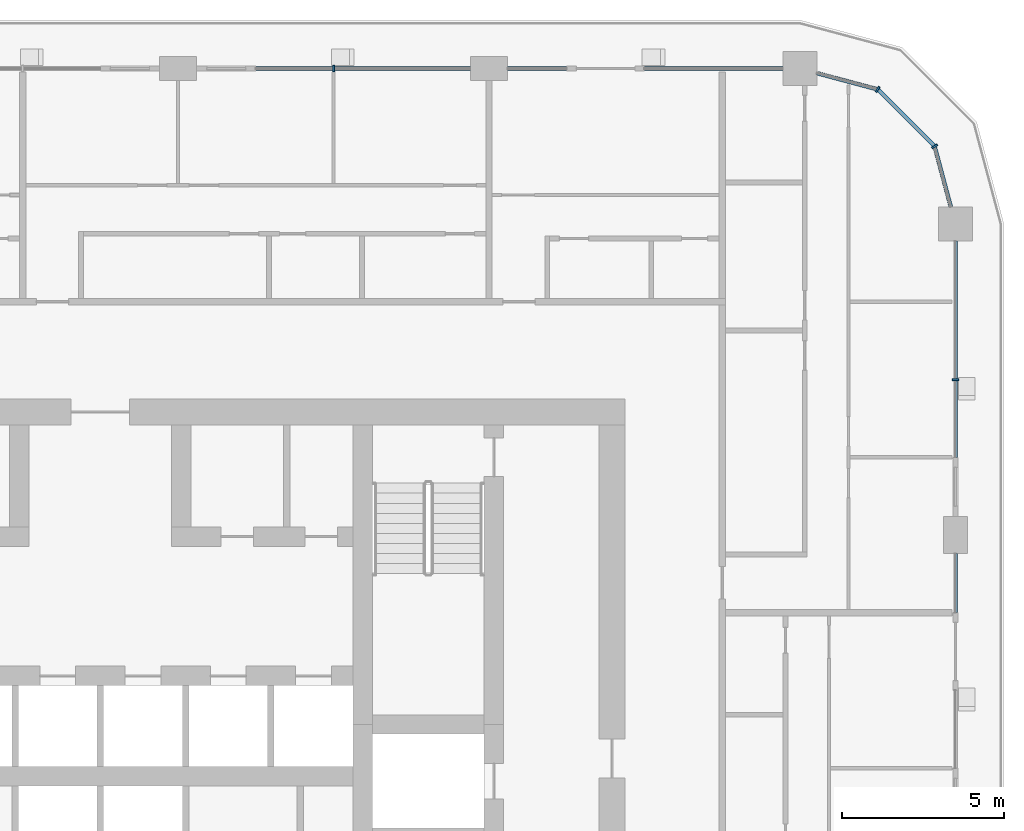
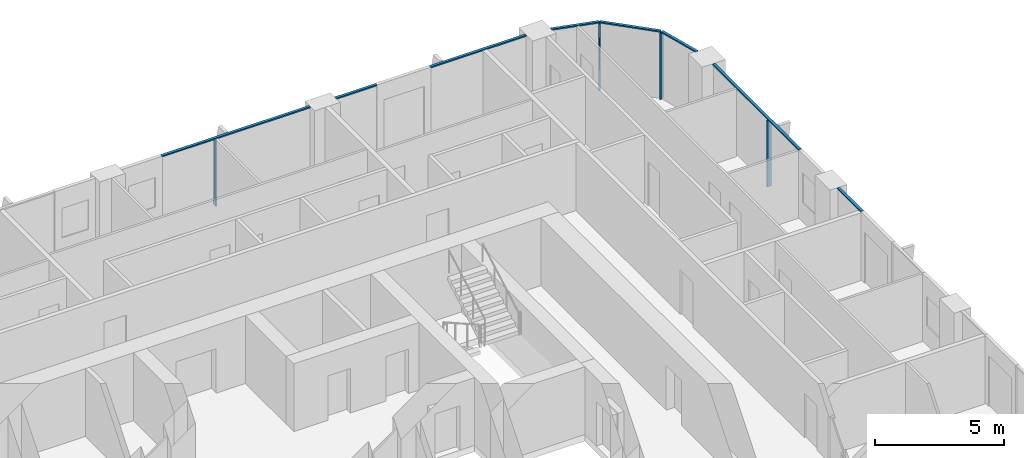
# One storey, part 6 of 22: 12 members, 5 elements without a shape of their own.
"""IFC4 building model written with IfcOpenShell, lengths in metres."""

from ifc_helpers import new_model, si_unit, direction, frame, origin, origin_2d, place, context, subcontext, project, spatial, rectangle, extrude, material, layer, layer_set, material_profile, profile_set, type_object, element, aggregate, save


model = new_model("IFC4")

# Units and contexts
model_context = context("Model", 3, precision=1e-05, world=origin(), true_north=direction((0.0, 1.0)))
body_context = subcontext(model_context, "Body", "Model", "MODEL_VIEW")
ifc_project = project(units=[si_unit("LENGTHUNIT", "METRE"), si_unit("AREAUNIT", "SQUARE_METRE"), si_unit("VOLUMEUNIT", "CUBIC_METRE"), si_unit("PLANEANGLEUNIT", "RADIAN"), si_unit("MASSUNIT", "GRAM", prefix="KILO")], contexts=[model_context])

# Site, building, storey
site_placement = place(None, origin())
site = spatial("IfcSite", under=ifc_project, at=site_placement, CompositionType="ELEMENT")
building_placement = place(site_placement, origin())
building = spatial("IfcBuilding", under=site, at=building_placement, Name="Madar Terraces", CompositionType="ELEMENT")
storey_placement = place(building_placement, frame((0.0, 0.0, 159.5)))
storey = spatial("IfcBuildingStorey", under=building, at=storey_placement, Name="L41", CompositionType="ELEMENT", Elevation=159.5)

# Curtain wall, member
ifc_material_1 = material(Name="Glass, ceramic frit dark grey, with black aluminium frame", Category="aluminium")
ifc_layer = layer(ifc_material_1, 0.199951171875)
ifc_layer_set = layer_set([ifc_layer], Name="Facade curtain wall, fritted glass")
curtain_wall_type = type_object("IfcCurtainWallType", Name="Facade curtain wall, fritted glass", PredefinedType="NOTDEFINED", material=ifc_layer_set)
curtain_wall_1_placement = place(storey_placement, origin())
curtain_wall_1 = element("IfcCurtainWall", 1, at=curtain_wall_1_placement, inside=storey, type_object=curtain_wall_type, Name="Outer skin curtain wall east bay 4", PredefinedType="NOTDEFINED")
ifc_material_2 = material(Name="Aluminium, black anodised", Category="aluminium")
ifc_material_profile_1 = material_profile(ifc_material_2, rectangle(XDim=0.199951171875, YDim=0.06005859375, at=origin_2d()), Name="Facade mullion 60x200")
ifc_profile_set_1 = profile_set([ifc_material_profile_1], Name="Aluminium, black anodised")
member_type_1 = type_object("IfcMemberType", Name="Facade mullion 60x200", PredefinedType="MULLION", material=ifc_profile_set_1)
member_1_placement = place(storey_placement, frame((57.60009765625, 38.39990234375, 0.0), z_axis=(0.0, 0.0, 1.0), x_axis=(-1.0, 0.0, 0.0)))
member_1 = element("IfcMember", 2, at=member_1_placement, type_object=member_type_1, Name="Mullion 1", PredefinedType="MULLION", context=body_context, shape_type="SweptSolid", body=[
    extrude(rectangle(XDim=0.199951171875, YDim=0.06005859375, at=origin_2d()), origin(), (0.0, 0.0, 1.0), 3.139892578125),
])

curtain_wall_2_placement = place(storey_placement, origin())
curtain_wall_2 = element("IfcCurtainWall", 3, at=curtain_wall_2_placement, inside=storey, type_object=curtain_wall_type, Name="Outer skin curtain wall north bay 2", PredefinedType="NOTDEFINED")
member_2_placement = place(storey_placement, frame((38.39990234375, 48.0, 0.0), z_axis=(0.0, 0.0, 1.0), x_axis=(0.0, -1.0, 0.0)))
member_2 = element("IfcMember", 4, at=member_2_placement, type_object=member_type_1, Name="Mullion 1", PredefinedType="MULLION", context=body_context, shape_type="SweptSolid", body=[
    extrude(rectangle(XDim=0.199951171875, YDim=0.06005859375, at=origin_2d()), origin(), (0.0, 0.0, 1.0), 3.139892578125),
])

# Curtain wall, members
curtain_wall_3_placement = place(storey_placement, origin())
curtain_wall_3 = element("IfcCurtainWall", 5, at=curtain_wall_3_placement, inside=storey, type_object=curtain_wall_type, Name="Outer skin curtain wall north-east corner", PredefinedType="NOTDEFINED")
member_3_placement = place(storey_placement, frame((56.95703125, 45.60009765625, 0.0), z_axis=(0.0, 0.0, 1.0), x_axis=(-0.866025409797, -0.499999989586, 0.0)))
member_3 = element("IfcMember", 6, at=member_3_placement, type_object=member_type_1, Name="Mullion 1", PredefinedType="MULLION", context=body_context, shape_type="SweptSolid", body=[
    extrude(rectangle(XDim=0.199951171875, YDim=0.06005859375, at=origin_2d()), origin(), (0.0, 0.0, 1.0), 3.139892578125),
])
member_4_placement = place(storey_placement, frame((55.199951171875, 47.35693359375, 0.0), z_axis=(0.0, 0.0, 1.0), x_axis=(-0.499999989586, -0.866025409797, 0.0)))
member_4 = element("IfcMember", 7, at=member_4_placement, type_object=member_type_1, Name="Mullion 2", PredefinedType="MULLION", context=body_context, shape_type="SweptSolid", body=[
    extrude(rectangle(XDim=0.199951171875, YDim=0.06005859375, at=origin_2d()), origin(), (0.0, 0.0, 1.0), 3.139892578125),
])

# Curtain wall, member
curtain_wall_4_placement = place(storey_placement, origin())
curtain_wall_4 = element("IfcCurtainWall", 8, at=curtain_wall_4_placement, inside=storey, type_object=curtain_wall_type, Name="Outer skin curtain wall east bay 3", PredefinedType="NOTDEFINED")
ifc_material_3 = material(Name="Aluminium, black anodised", Category="aluminium")
ifc_material_profile_2 = material_profile(ifc_material_3, rectangle(XDim=0.1201171875, YDim=0.06005859375, at=origin_2d()), Name="Facade transom 60x120")
ifc_profile_set_2 = profile_set([ifc_material_profile_2], Name="Aluminium, black anodised")
member_type_2 = type_object("IfcMemberType", Name="Facade transom 60x120", PredefinedType="USERDEFINED", material=ifc_profile_set_2)
member_5_placement = place(storey_placement, frame((57.60009765625, 31.199951171875, 3.169921875), z_axis=(0.0, 1.0, 0.0), x_axis=(-1.0, 0.0, 0.0)))
member_5 = element("IfcMember", 9, at=member_5_placement, type_object=member_type_2, Name="Transom 2", ObjectType="TRANSOM", PredefinedType="USERDEFINED", context=body_context, shape_type="SweptSolid", body=[
    extrude(rectangle(XDim=0.1201171875, YDim=0.06005859375, at=origin_2d()), origin(), (0.0, 0.0, 1.0), 1.824951171875),
])
aggregate(curtain_wall_4, [member_5])

# Member
member_6_placement = place(storey_placement, frame((57.60009765625, 36.0, 3.169921875), z_axis=(0.0, 1.0, 0.0), x_axis=(-1.0, 0.0, 0.0)))
member_6 = element("IfcMember", 10, at=member_6_placement, type_object=member_type_2, Name="Transom 1", ObjectType="TRANSOM", PredefinedType="USERDEFINED", context=body_context, shape_type="SweptSolid", body=[
    extrude(rectangle(XDim=0.1201171875, YDim=0.06005859375, at=origin_2d()), origin(), (0.0, 0.0, 1.0), 6.675048828125),
])

aggregate(curtain_wall_1, [member_1, member_6])

# Curtain wall, members
curtain_wall_5_placement = place(storey_placement, origin())
curtain_wall_5 = element("IfcCurtainWall", 11, at=curtain_wall_5_placement, inside=storey, type_object=curtain_wall_type, Name="Outer skin curtain wall north bay 1", PredefinedType="NOTDEFINED")
member_7_placement = place(storey_placement, frame((52.27490234375, 48.0, 3.169921875), z_axis=(-1.0, 0.0, 0.0), x_axis=(0.0, -1.0, 0.0)))
member_7 = element("IfcMember", 12, at=member_7_placement, type_object=member_type_2, Name="Transom 1", ObjectType="TRANSOM", PredefinedType="USERDEFINED", context=body_context, shape_type="SweptSolid", body=[
    extrude(rectangle(XDim=0.1201171875, YDim=0.06005859375, at=origin_2d()), origin(), (0.0, 0.0, 1.0), 4.27490234375),
])
member_8_placement = place(storey_placement, frame((45.60009765625, 48.0, 3.169921875), z_axis=(-1.0, 0.0, 0.0), x_axis=(0.0, -1.0, 0.0)))
member_8 = element("IfcMember", 13, at=member_8_placement, type_object=member_type_2, Name="Transom 2", ObjectType="TRANSOM", PredefinedType="USERDEFINED", context=body_context, shape_type="SweptSolid", body=[
    extrude(rectangle(XDim=0.1201171875, YDim=0.06005859375, at=origin_2d()), origin(), (0.0, 0.0, 1.0), 1.8251953125),
])
aggregate(curtain_wall_5, [member_7, member_8])

# Member
member_9_placement = place(storey_placement, frame((42.625, 48.0, 3.169921875), z_axis=(-1.0, 0.0, 0.0), x_axis=(0.0, -1.0, 0.0)))
member_9 = element("IfcMember", 14, at=member_9_placement, type_object=member_type_2, Name="Transom 1", ObjectType="TRANSOM", PredefinedType="USERDEFINED", context=body_context, shape_type="SweptSolid", body=[
    extrude(rectangle(XDim=0.1201171875, YDim=0.06005859375, at=origin_2d()), origin(), (0.0, 0.0, 1.0), 6.625),
])

aggregate(curtain_wall_2, [member_2, member_9])

member_10_placement = place(storey_placement, frame((57.459228515625, 43.72509765625, 3.169921875), z_axis=(-0.258823354654, 0.965924671538, 0.0), x_axis=(-0.965924671538, -0.258823354654, 0.0)))
member_10 = element("IfcMember", 15, at=member_10_placement, type_object=member_type_2, Name="Transom 1", ObjectType="TRANSOM", PredefinedType="USERDEFINED", context=body_context, shape_type="SweptSolid", body=[
    extrude(rectangle(XDim=0.1201171875, YDim=0.06005859375, at=origin_2d()), origin(), (0.0, 0.0, 1.0), 1.9111328125),
])

member_11_placement = place(storey_placement, frame((56.935791015625, 45.62109375, 3.169921875), z_axis=(-0.707106781187, 0.707106781187, 0.0), x_axis=(-0.707106781187, -0.707106781187, 0.0)))
member_11 = element("IfcMember", 16, at=member_11_placement, type_object=member_type_2, Name="Transom 2", ObjectType="TRANSOM", PredefinedType="USERDEFINED", context=body_context, shape_type="SweptSolid", body=[
    extrude(rectangle(XDim=0.1201171875, YDim=0.06005859375, at=origin_2d()), origin(), (0.0, 0.0, 1.0), 2.4248046875),
])

member_12_placement = place(storey_placement, frame((55.171142578125, 47.36474609375, 3.169921875), z_axis=(-0.965933227928, 0.25879142023, 0.0), x_axis=(-0.25879142023, -0.965933227928, 0.0)))
member_12 = element("IfcMember", 17, at=member_12_placement, type_object=member_type_2, Name="Transom 3", ObjectType="TRANSOM", PredefinedType="USERDEFINED", context=body_context, shape_type="SweptSolid", body=[
    extrude(rectangle(XDim=0.1201171875, YDim=0.06005859375, at=origin_2d()), origin(), (0.0, 0.0, 1.0), 1.911376953125),
])

aggregate(curtain_wall_3, [member_3, member_10, member_4, member_11, member_12])

save(model, "model.ifc")
